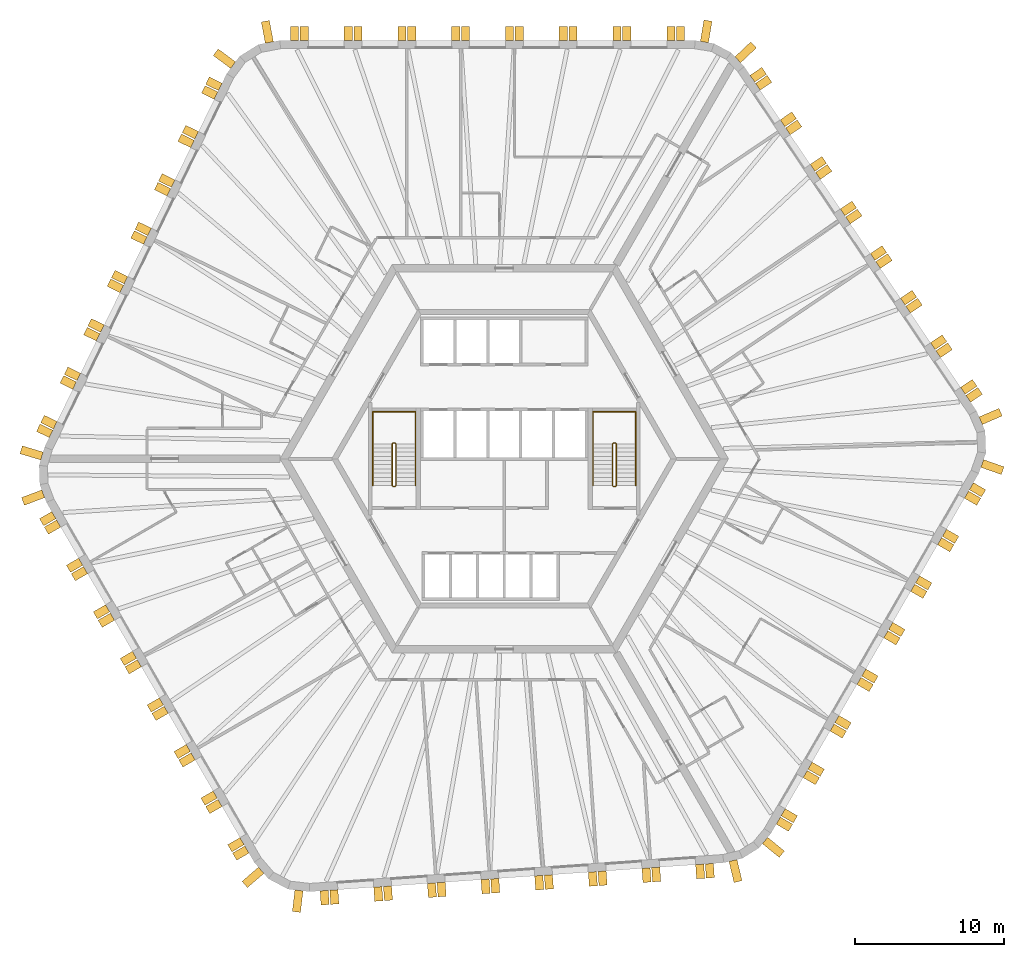
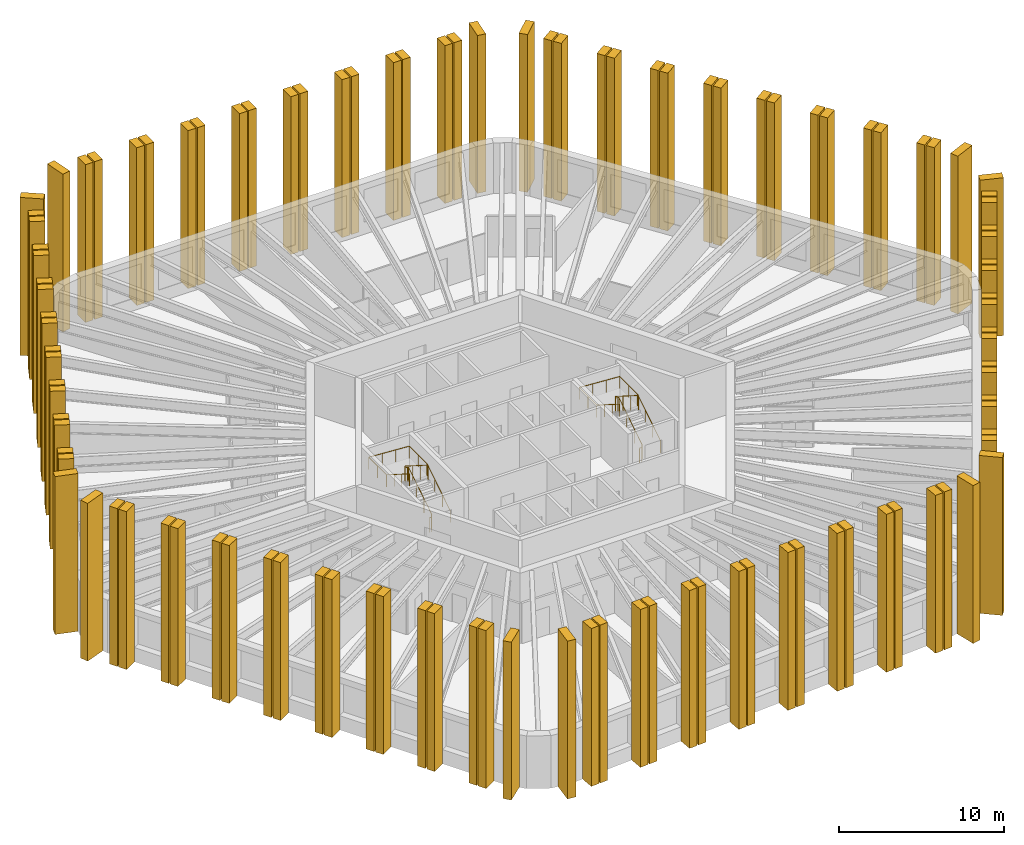
# One storey, part 10 of 10: 108 shading devices, 4 railings.
"""IFC4 building model written with IfcOpenShell, lengths in metres."""

from ifc_helpers import new_model, si_unit, direction, frame, origin, origin_2d, place, context, subcontext, project, spatial, polyline, circle, outline, extrude, material, layer, layer_set, type_object, element, save


model = new_model("IFC4")

# Units and contexts
model_context = context("Model", 3, precision=1e-05, world=origin(), true_north=direction((0.0, 1.0)))
body_context = subcontext(model_context, "Body", "Model", "MODEL_VIEW")
ifc_project = project(units=[si_unit("LENGTHUNIT", "METRE"), si_unit("AREAUNIT", "SQUARE_METRE"), si_unit("VOLUMEUNIT", "CUBIC_METRE"), si_unit("PLANEANGLEUNIT", "RADIAN"), si_unit("MASSUNIT", "GRAM", prefix="KILO")], contexts=[model_context])

# Site, building, storey
site_placement = place(None, origin())
site = spatial("IfcSite", under=ifc_project, at=site_placement, CompositionType="ELEMENT")
building_placement = place(site_placement, origin())
building = spatial("IfcBuilding", under=site, at=building_placement, Name="Tarnside Tower", CompositionType="ELEMENT")
storey_placement = place(building_placement, frame((0.0, 0.0, 226.800048828125)))
storey = spatial("IfcBuildingStorey", under=building, at=storey_placement, Name="L54", CompositionType="ELEMENT", Elevation=226.800048828125)

# Shading devices
ifc_material_1 = material(Name="Concrete C50/60 white precast", Category="concrete")
ifc_layer_1 = layer(ifc_material_1, 0.550048828125)
ifc_layer_set_1 = layer_set([ifc_layer_1], Name="Precast fin 550 x 1450")
shading_device_type_1 = type_object("IfcShadingDeviceType", Name="Precast fin 550 x 1450", PredefinedType="USERDEFINED", material=ifc_layer_set_1)
for number, where, z_axis, x_axis, name in (
    (1, (-15.725341796875, 27.86767578125, -0.150146484375), (0.982720646705, 0.18509492305, 0.0), (-0.18509492305, 0.982720646705, 0.0), "Precast fin"),
    (2, (-18.15380859375, 26.35009765625, -0.150146484375), (0.597158591707, 0.802123192752, 0.0), (-0.802123192752, 0.597158591707, 0.0), "Precast fin"),
    (3, (-30.949951171875, 0.184326171875, -0.150146484375), (0.286803232717, 0.957989512314, 0.0), (-0.957989512314, 0.286803232717, 0.0), "Precast fin"),
    (4, (-30.861572265625, -2.343017578125, -0.150146484375), (-0.352930564719, 0.935649515837, 0.0), (-0.935649515837, -0.352930564719, 0.0), "Precast fin"),
    (5, (-16.271484375, -27.55224609375, -0.150146484375), (-0.651657228826, 0.758513583345, 0.0), (-0.758513583345, -0.651657228826, 0.0), "Precast fin"),
    (6, (-13.7431640625, -28.896728515625, -0.150146484375), (-0.993238357741, 0.116092914131, 0.0), (-0.116092914131, -0.993238357741, 0.0), "Precast fin"),
    (7, (15.315185546875, -26.8955078125, -0.150146484375), (-0.973044870581, -0.230615870737, 0.0), (0.230615870737, -0.973044870581, 0.0), "Precast fin"),
    (8, (17.4599609375, -25.555419921875, -0.150146484375), (-0.633830967394, -0.773471592738, 0.0), (0.773471592738, -0.633830967394, 0.0), "Precast fin"),
    (9, (31.996826171875, -0.315185546875, -0.150146484375), (-0.331063417879, -0.943608506396, 0.0), (0.943608506396, -0.331063417879, 0.0), "Precast fin"),
    (10, (31.896728515625, 2.54638671875, -0.150146484375), (0.396079766034, -0.918216106883, 0.0), (0.918216106883, 0.396079766034, 0.0), "Precast fin"),
    (11, (15.634765625, 26.711181640625, -0.150146484375), (0.686241637865, -0.727373641577, 0.0), (0.727373641577, 0.686241637865, 0.0), "Precast fin"),
    (12, (13.40185546875, 27.8984375, -0.150146484375), (0.986761532114, -0.1621779231, 0.0), (0.1621779231, 0.986761532114, 0.0), "Precast fin"),
):
    element("IfcShadingDevice", number, at=place(storey_placement, frame(where, z_axis=z_axis, x_axis=x_axis)), inside=storey, type_object=shading_device_type_1, Name=name, ObjectType="FIN", PredefinedType="USERDEFINED", context=body_context, shape_type="SweptSolid", body=[
        extrude(outline(polyline([(0.0, 0.0), (1.449951171875, 0.0), (1.449951171875, 11.7001953125), (0.0, 11.7001953125), (0.0, 0.0)])), frame((0.0, 0.0, -0.27490234375)), (0.0, 0.0, 1.0), 0.550048828125),
    ])
ifc_layer_2 = layer(ifc_material_1, 0.550048828125)
ifc_layer_set_2 = layer_set([ifc_layer_2], Name="Precast fin 550 x 950")
shading_device_type_2 = type_object("IfcShadingDeviceType", Name="Precast fin 550 x 950", PredefinedType="USERDEFINED", material=ifc_layer_set_2)
for number, where, z_axis, x_axis, name in (
    (13, (11.80712890625, 28.0, -0.150146484375), (1.0, 0.0, 0.0), (0.0, 1.0, 0.0), "Precast fin"),
    (14, (11.1572265625, 28.0, -0.150146484375), (1.0, 0.0, 0.0), (0.0, 1.0, 0.0), "Precast fin"),
    (15, (8.20703125, 28.0, -0.150146484375), (1.0, 0.0, 0.0), (0.0, 1.0, 0.0), "Precast fin"),
    (16, (7.55712890625, 28.0, -0.150146484375), (1.0, 0.0, 0.0), (0.0, 1.0, 0.0), "Precast fin"),
    (17, (4.607177734375, 28.0, -0.150146484375), (1.0, 0.0, 0.0), (0.0, 1.0, 0.0), "Precast fin"),
    (18, (3.95703125, 28.0, -0.150146484375), (1.0, 0.0, 0.0), (0.0, 1.0, 0.0), "Precast fin"),
    (19, (1.007080078125, 28.0, -0.150146484375), (1.0, 0.0, 0.0), (0.0, 1.0, 0.0), "Precast fin"),
    (20, (0.357177734375, 28.0, -0.150146484375), (1.0, 0.0, 0.0), (0.0, 1.0, 0.0), "Precast fin"),
    (21, (-2.5927734375, 28.0, -0.150146484375), (1.0, 0.0, 0.0), (0.0, 1.0, 0.0), "Precast fin"),
    (22, (-3.242919921875, 28.0, -0.150146484375), (1.0, 0.0, 0.0), (0.0, 1.0, 0.0), "Precast fin"),
    (23, (-6.19287109375, 28.0, -0.150146484375), (1.0, 0.0, 0.0), (0.0, 1.0, 0.0), "Precast fin"),
    (24, (-6.8427734375, 28.0, -0.150146484375), (1.0, 0.0, 0.0), (0.0, 1.0, 0.0), "Precast fin"),
    (25, (-9.79296875, 28.0, -0.150146484375), (1.0, 0.0, 0.0), (0.0, 1.0, 0.0), "Precast fin"),
    (26, (-10.44287109375, 28.0, -0.150146484375), (1.0, 0.0, 0.0), (0.0, 1.0, 0.0), "Precast fin"),
    (27, (-13.392822265625, 28.0, -0.150146484375), (1.0, 0.0, 0.0), (0.0, 1.0, 0.0), "Precast fin"),
    (28, (-14.04296875, 28.0, -0.150146484375), (1.0, 0.0, 0.0), (0.0, 1.0, 0.0), "Precast fin"),
    (29, (-19.01025390625, 24.896240234375, -0.150146484375), (0.438371146789, 0.898794046299, 0.0), (-0.898794046299, 0.438371146789, 0.0), "Precast fin"),
    (30, (-19.295166015625, 24.31201171875, -0.150146484375), (0.438371146789, 0.898794046299, 0.0), (-0.898794046299, 0.438371146789, 0.0), "Precast fin"),
    (31, (-20.58837890625, 21.660400390625, -0.150146484375), (0.438371146789, 0.898794046299, 0.0), (-0.898794046299, 0.438371146789, 0.0), "Precast fin"),
    (32, (-20.873291015625, 21.076171875, -0.150146484375), (0.438371146789, 0.898794046299, 0.0), (-0.898794046299, 0.438371146789, 0.0), "Precast fin"),
    (33, (-22.16650390625, 18.4248046875, -0.150146484375), (0.438371146789, 0.898794046299, 0.0), (-0.898794046299, 0.438371146789, 0.0), "Precast fin"),
    (34, (-22.451416015625, 17.840576171875, -0.150146484375), (0.438371146789, 0.898794046299, 0.0), (-0.898794046299, 0.438371146789, 0.0), "Precast fin"),
    (35, (-23.74462890625, 15.189208984375, -0.150146484375), (0.438371146789, 0.898794046299, 0.0), (-0.898794046299, 0.438371146789, 0.0), "Precast fin"),
    (36, (-24.029541015625, 14.60498046875, -0.150146484375), (0.438371146789, 0.898794046299, 0.0), (-0.898794046299, 0.438371146789, 0.0), "Precast fin"),
    (37, (-25.32275390625, 11.953369140625, -0.150146484375), (0.438371146789, 0.898794046299, 0.0), (-0.898794046299, 0.438371146789, 0.0), "Precast fin"),
    (38, (-25.607666015625, 11.369384765625, -0.150146484375), (0.438371146789, 0.898794046299, 0.0), (-0.898794046299, 0.438371146789, 0.0), "Precast fin"),
    (39, (-26.90087890625, 8.7177734375, -0.150146484375), (0.438371146789, 0.898794046299, 0.0), (-0.898794046299, 0.438371146789, 0.0), "Precast fin"),
    (40, (-27.185791015625, 8.133544921875, -0.150146484375), (0.438371146789, 0.898794046299, 0.0), (-0.898794046299, 0.438371146789, 0.0), "Precast fin"),
    (41, (-28.47900390625, 5.482177734375, -0.150146484375), (0.438371146789, 0.898794046299, 0.0), (-0.898794046299, 0.438371146789, 0.0), "Precast fin"),
    (42, (-28.763916015625, 4.89794921875, -0.150146484375), (0.438371146789, 0.898794046299, 0.0), (-0.898794046299, 0.438371146789, 0.0), "Precast fin"),
    (43, (-30.05712890625, 2.24658203125, -0.150146484375), (0.438371146789, 0.898794046299, 0.0), (-0.898794046299, 0.438371146789, 0.0), "Precast fin"),
    (44, (-30.342041015625, 1.662353515625, -0.150146484375), (0.438371146789, 0.898794046299, 0.0), (-0.898794046299, 0.438371146789, 0.0), "Precast fin"),
    (45, (-30.15234375, -3.774658203125, -0.150146484375), (-0.5, 0.866025403784, 0.0), (-0.866025403784, -0.5, 0.0), "Precast fin"),
    (46, (-29.827392578125, -4.337646484375, -0.150146484375), (-0.5, 0.866025403784, 0.0), (-0.866025403784, -0.5, 0.0), "Precast fin"),
    (47, (-28.352294921875, -6.892333984375, -0.150146484375), (-0.5, 0.866025403784, 0.0), (-0.866025403784, -0.5, 0.0), "Precast fin"),
    (48, (-28.02734375, -7.455322265625, -0.150146484375), (-0.5, 0.866025403784, 0.0), (-0.866025403784, -0.5, 0.0), "Precast fin"),
    (49, (-26.55224609375, -10.010009765625, -0.150146484375), (-0.5, 0.866025403784, 0.0), (-0.866025403784, -0.5, 0.0), "Precast fin"),
    (50, (-26.227294921875, -10.572998046875, -0.150146484375), (-0.5, 0.866025403784, 0.0), (-0.866025403784, -0.5, 0.0), "Precast fin"),
    (51, (-24.752197265625, -13.127685546875, -0.150146484375), (-0.5, 0.866025403784, 0.0), (-0.866025403784, -0.5, 0.0), "Precast fin"),
    (52, (-24.42724609375, -13.690673828125, -0.150146484375), (-0.5, 0.866025403784, 0.0), (-0.866025403784, -0.5, 0.0), "Precast fin"),
    (53, (-22.952392578125, -16.24560546875, -0.150146484375), (-0.5, 0.866025403784, 0.0), (-0.866025403784, -0.5, 0.0), "Precast fin"),
    (54, (-22.627197265625, -16.808349609375, -0.150146484375), (-0.5, 0.866025403784, 0.0), (-0.866025403784, -0.5, 0.0), "Precast fin"),
    (55, (-21.15234375, -19.36328125, -0.150146484375), (-0.5, 0.866025403784, 0.0), (-0.866025403784, -0.5, 0.0), "Precast fin"),
    (56, (-20.827392578125, -19.926025390625, -0.150146484375), (-0.5, 0.866025403784, 0.0), (-0.866025403784, -0.5, 0.0), "Precast fin"),
    (57, (-19.352294921875, -22.48095703125, -0.150146484375), (-0.5, 0.866025403784, 0.0), (-0.866025403784, -0.5, 0.0), "Precast fin"),
    (58, (-19.02734375, -23.043701171875, -0.150146484375), (-0.5, 0.866025403784, 0.0), (-0.866025403784, -0.5, 0.0), "Precast fin"),
    (59, (-17.55224609375, -25.5986328125, -0.150146484375), (-0.5, 0.866025403784, 0.0), (-0.866025403784, -0.5, 0.0), "Precast fin"),
    (60, (-17.227294921875, -26.161376953125, -0.150146484375), (-0.5, 0.866025403784, 0.0), (-0.866025403784, -0.5, 0.0), "Precast fin"),
    (61, (-12.0556640625, -28.911376953125, -0.150146484375), (-0.99756405026, -0.069756473744, 0.0), (0.069756473744, -0.99756405026, 0.0), "Precast fin"),
    (62, (-11.4072265625, -28.865966796875, -0.150146484375), (-0.99756405026, -0.069756473744, 0.0), (0.069756473744, -0.99756405026, 0.0), "Precast fin"),
    (63, (-8.46435546875, -28.66015625, -0.150146484375), (-0.99756405026, -0.069756473744, 0.0), (0.069756473744, -0.99756405026, 0.0), "Precast fin"),
    (64, (-7.81591796875, -28.614990234375, -0.150146484375), (-0.99756405026, -0.069756473744, 0.0), (0.069756473744, -0.99756405026, 0.0), "Precast fin"),
    (65, (-4.873046875, -28.4091796875, -0.150146484375), (-0.99756405026, -0.069756473744, 0.0), (0.069756473744, -0.99756405026, 0.0), "Precast fin"),
    (66, (-4.224609375, -28.36376953125, -0.150146484375), (-0.99756405026, -0.069756473744, 0.0), (0.069756473744, -0.99756405026, 0.0), "Precast fin"),
    (67, (-1.281982421875, -28.157958984375, -0.150146484375), (-0.99756405026, -0.069756473744, 0.0), (0.069756473744, -0.99756405026, 0.0), "Precast fin"),
    (68, (-0.633544921875, -28.112548828125, -0.150146484375), (-0.99756405026, -0.069756473744, 0.0), (0.069756473744, -0.99756405026, 0.0), "Precast fin"),
    (69, (2.309326171875, -27.906982421875, -0.150146484375), (-0.99756405026, -0.069756473744, 0.0), (0.069756473744, -0.99756405026, 0.0), "Precast fin"),
    (70, (2.957763671875, -27.861572265625, -0.150146484375), (-0.99756405026, -0.069756473744, 0.0), (0.069756473744, -0.99756405026, 0.0), "Precast fin"),
    (71, (5.900634765625, -27.65576171875, -0.150146484375), (-0.99756405026, -0.069756473744, 0.0), (0.069756473744, -0.99756405026, 0.0), "Precast fin"),
    (72, (6.549072265625, -27.6103515625, -0.150146484375), (-0.99756405026, -0.069756473744, 0.0), (0.069756473744, -0.99756405026, 0.0), "Precast fin"),
    (73, (9.49169921875, -27.404541015625, -0.150146484375), (-0.99756405026, -0.069756473744, 0.0), (0.069756473744, -0.99756405026, 0.0), "Precast fin"),
    (74, (10.14013671875, -27.359375, -0.150146484375), (-0.99756405026, -0.069756473744, 0.0), (0.069756473744, -0.99756405026, 0.0), "Precast fin"),
    (75, (13.0830078125, -27.153564453125, -0.150146484375), (-0.99756405026, -0.069756473744, 0.0), (0.069756473744, -0.99756405026, 0.0), "Precast fin"),
    (76, (13.7314453125, -27.108154296875, -0.150146484375), (-0.99756405026, -0.069756473744, 0.0), (0.069756473744, -0.99756405026, 0.0), "Precast fin"),
    (77, (18.34521484375, -24.225341796875, -0.150146484375), (-0.5, -0.866025403784, 0.0), (0.866025403784, -0.5, 0.0), "Precast fin"),
    (78, (18.670166015625, -23.662353515625, -0.150146484375), (-0.5, -0.866025403784, 0.0), (0.866025403784, -0.5, 0.0), "Precast fin"),
    (79, (20.145263671875, -21.107666015625, -0.150146484375), (-0.5, -0.866025403784, 0.0), (0.866025403784, -0.5, 0.0), "Precast fin"),
    (80, (20.47021484375, -20.544677734375, -0.150146484375), (-0.5, -0.866025403784, 0.0), (0.866025403784, -0.5, 0.0), "Precast fin"),
    (81, (21.945068359375, -17.989990234375, -0.150146484375), (-0.5, -0.866025403784, 0.0), (0.866025403784, -0.5, 0.0), "Precast fin"),
    (82, (22.270263671875, -17.427001953125, -0.150146484375), (-0.5, -0.866025403784, 0.0), (0.866025403784, -0.5, 0.0), "Precast fin"),
    (83, (23.7451171875, -14.872314453125, -0.150146484375), (-0.5, -0.866025403784, 0.0), (0.866025403784, -0.5, 0.0), "Precast fin"),
    (84, (24.070068359375, -14.309326171875, -0.150146484375), (-0.5, -0.866025403784, 0.0), (0.866025403784, -0.5, 0.0), "Precast fin"),
    (85, (25.545166015625, -11.75439453125, -0.150146484375), (-0.5, -0.866025403784, 0.0), (0.866025403784, -0.5, 0.0), "Precast fin"),
    (86, (25.8701171875, -11.191650390625, -0.150146484375), (-0.5, -0.866025403784, 0.0), (0.866025403784, -0.5, 0.0), "Precast fin"),
    (87, (27.34521484375, -8.63671875, -0.150146484375), (-0.5, -0.866025403784, 0.0), (0.866025403784, -0.5, 0.0), "Precast fin"),
    (88, (27.670166015625, -8.073974609375, -0.150146484375), (-0.5, -0.866025403784, 0.0), (0.866025403784, -0.5, 0.0), "Precast fin"),
    (89, (29.145263671875, -5.51904296875, -0.150146484375), (-0.5, -0.866025403784, 0.0), (0.866025403784, -0.5, 0.0), "Precast fin"),
    (90, (29.47021484375, -4.956298828125, -0.150146484375), (-0.5, -0.866025403784, 0.0), (0.866025403784, -0.5, 0.0), "Precast fin"),
    (91, (30.945068359375, -2.4013671875, -0.150146484375), (-0.5, -0.866025403784, 0.0), (0.866025403784, -0.5, 0.0), "Precast fin"),
    (92, (31.270263671875, -1.838623046875, -0.150146484375), (-0.5, -0.866025403784, 0.0), (0.866025403784, -0.5, 0.0), "Precast fin"),
    (93, (31.065673828125, 4.01513671875, -0.150146484375), (0.559192903471, -0.829037572555, 0.0), (0.829037572555, 0.559192903471, 0.0), "Precast fin"),
    (94, (30.702392578125, 4.55419921875, -0.150146484375), (0.559192903471, -0.829037572555, 0.0), (0.829037572555, 0.559192903471, 0.0), "Precast fin"),
    (95, (29.052734375, 6.999755859375, -0.150146484375), (0.559192903471, -0.829037572555, 0.0), (0.829037572555, 0.559192903471, 0.0), "Precast fin"),
    (96, (28.689208984375, 7.53857421875, -0.150146484375), (0.559192903471, -0.829037572555, 0.0), (0.829037572555, 0.559192903471, 0.0), "Precast fin"),
    (97, (27.03955078125, 9.984375, -0.150146484375), (0.559192903471, -0.829037572555, 0.0), (0.829037572555, 0.559192903471, 0.0), "Precast fin"),
    (98, (26.676025390625, 10.523193359375, -0.150146484375), (0.559192903471, -0.829037572555, 0.0), (0.829037572555, 0.559192903471, 0.0), "Precast fin"),
    (99, (25.026611328125, 12.96875, -0.150146484375), (0.559192903471, -0.829037572555, 0.0), (0.829037572555, 0.559192903471, 0.0), "Precast fin"),
    (100, (24.6630859375, 13.5078125, -0.150146484375), (0.559192903471, -0.829037572555, 0.0), (0.829037572555, 0.559192903471, 0.0), "Precast fin"),
    (101, (23.013427734375, 15.953369140625, -0.150146484375), (0.559192903471, -0.829037572555, 0.0), (0.829037572555, 0.559192903471, 0.0), "Precast fin"),
    (102, (22.64990234375, 16.4921875, -0.150146484375), (0.559192903471, -0.829037572555, 0.0), (0.829037572555, 0.559192903471, 0.0), "Precast fin"),
    (103, (21.000244140625, 18.93798828125, -0.150146484375), (0.559192903471, -0.829037572555, 0.0), (0.829037572555, 0.559192903471, 0.0), "Precast fin"),
    (104, (20.63671875, 19.476806640625, -0.150146484375), (0.559192903471, -0.829037572555, 0.0), (0.829037572555, 0.559192903471, 0.0), "Precast fin"),
    (105, (18.9873046875, 21.92236328125, -0.150146484375), (0.559192903471, -0.829037572555, 0.0), (0.829037572555, 0.559192903471, 0.0), "Precast fin"),
    (106, (18.623779296875, 22.46142578125, -0.150146484375), (0.559192903471, -0.829037572555, 0.0), (0.829037572555, 0.559192903471, 0.0), "Precast fin"),
    (107, (16.97412109375, 24.906982421875, -0.150146484375), (0.559192903471, -0.829037572555, 0.0), (0.829037572555, 0.559192903471, 0.0), "Precast fin"),
    (108, (16.610595703125, 25.44580078125, -0.150146484375), (0.559192903471, -0.829037572555, 0.0), (0.829037572555, 0.559192903471, 0.0), "Precast fin"),
):
    element("IfcShadingDevice", number, at=place(storey_placement, frame(where, z_axis=z_axis, x_axis=x_axis)), inside=storey, type_object=shading_device_type_2, Name=name, ObjectType="FIN", PredefinedType="USERDEFINED", context=body_context, shape_type="SweptSolid", body=[
        extrude(outline(polyline([(0.0, 0.0), (0.949951171875, 0.0), (0.949951171875, 11.7001953125), (0.0, 11.7001953125), (0.0, 0.0)])), frame((0.0, 0.0, -0.27490234375)), (0.0, 0.0, 1.0), 0.550048828125),
    ])

# Railings
ifc_material_2 = material(Name="Stainless steel", Category="steel")
railing_type_1 = type_object("IfcRailingType", Name="Stair guard 1100", PredefinedType="GUARDRAIL", material=ifc_material_2)
railing_1_placement = place(storey_placement, frame((7.300048828125, -1.85009765625, 0.0)))
element("IfcRailing", 109, at=railing_1_placement, inside=storey, type_object=railing_type_1, Name="L54 ST1 stair guard 1", PredefinedType="GUARDRAIL", context=body_context, shape_type="SweptSolid", body=[
    extrude(circle(Radius=0.02392578125, at=origin_2d()), frame((0.0, 0.0, 1.076171875), z_axis=(1.0, 0.0, 0.0), x_axis=(0.0, 1.0, 0.0)), (0.0, 0.0, 1.0), 0.14990234375),
    extrude(circle(Radius=0.02392578125, at=origin_2d()), frame((0.14990234375, 0.0, 1.076171875), z_axis=(0.262233686654, 0.262233686654, 0.928691007369), x_axis=(-0.707106781187, 0.707106781187, 0.0)), (0.0, 0.0, 1.0), 0.19091796875),
    extrude(circle(Radius=0.02392578125, at=origin_2d()), frame((0.199951171875, 0.050048828125, 1.25341796875), z_axis=(0.0, 0.844908973607, 0.534910110503), x_axis=(-1.0, 0.0, 0.0)), (0.0, 0.0, 1.0), 3.31396484375),
    extrude(circle(Radius=0.02392578125, at=origin_2d()), frame((0.199951171875, 2.85009765625, 3.02587890625), z_axis=(-0.707106781187, 0.707106781187, 0.0), x_axis=(-0.707106781187, -0.707106781187, 0.0)), (0.0, 0.0, 1.0), 0.07080078125),
    extrude(circle(Radius=0.02392578125, at=origin_2d()), frame((0.14990234375, 2.900146484375, 3.02587890625), z_axis=(-1.0, 0.0, 0.0), x_axis=(0.0, -1.0, 0.0)), (0.0, 0.0, 1.0), 0.14990234375),
    extrude(circle(Radius=0.02392578125, at=origin_2d()), frame((0.0, 2.900146484375, 3.02587890625), z_axis=(-0.262233686654, -0.262233686654, 0.928691007369), x_axis=(0.707106781187, -0.707106781187, 0.0)), (0.0, 0.0, 1.0), 0.19091796875),
    extrude(circle(Radius=0.02392578125, at=origin_2d()), frame((-0.050048828125, 2.85009765625, 3.203125), z_axis=(0.0, -0.844908973607, 0.534910110503), x_axis=(1.0, 0.0, 0.0)), (0.0, 0.0, 1.0), 3.31396484375),
    extrude(circle(Radius=0.02099609375, at=origin_2d()), origin(), (0.0, 0.0, 1.0), 1.052001953125),
    extrude(circle(Radius=0.02099609375, at=origin_2d()), frame((0.14990234375, 0.0, 0.0)), (0.0, 0.0, 1.0), 1.052001953125),
    extrude(circle(Radius=0.02099609375, at=origin_2d()), frame((0.199951171875, 0.050048828125, 0.17724609375)), (0.0, 0.0, 1.0), 1.052001953125),
    extrude(circle(Radius=0.02099609375, at=origin_2d()), frame((0.199951171875, 0.9833984375, 0.76806640625)), (0.0, 0.0, 1.0), 1.052001953125),
    extrude(circle(Radius=0.02099609375, at=origin_2d()), frame((0.199951171875, 1.916748046875, 1.359130859375)), (0.0, 0.0, 1.0), 1.052001953125),
    extrude(circle(Radius=0.02099609375, at=origin_2d()), frame((0.199951171875, 2.85009765625, 1.949951171875)), (0.0, 0.0, 1.0), 1.052001953125),
    extrude(circle(Radius=0.02099609375, at=origin_2d()), frame((0.14990234375, 2.900146484375, 1.949951171875)), (0.0, 0.0, 1.0), 1.052001953125),
    extrude(circle(Radius=0.02099609375, at=origin_2d()), frame((0.0, 2.900146484375, 1.949951171875)), (0.0, 0.0, 1.0), 1.052001953125),
    extrude(circle(Radius=0.02099609375, at=origin_2d()), frame((-0.050048828125, 2.85009765625, 2.127197265625)), (0.0, 0.0, 1.0), 1.052001953125),
    extrude(circle(Radius=0.02099609375, at=origin_2d()), frame((-0.050048828125, 1.916748046875, 2.718017578125)), (0.0, 0.0, 1.0), 1.052001953125),
    extrude(circle(Radius=0.02099609375, at=origin_2d()), frame((-0.050048828125, 0.9833984375, 3.30908203125)), (0.0, 0.0, 1.0), 1.052001953125),
    extrude(circle(Radius=0.02099609375, at=origin_2d()), frame((-0.050048828125, 0.050048828125, 3.89990234375)), (0.0, 0.0, 1.0), 1.052001953125),
])
railing_2_placement = place(storey_placement, frame((-7.449951171875, -1.85009765625, 0.0)))
element("IfcRailing", 110, at=railing_2_placement, inside=storey, type_object=railing_type_1, Name="L54 ST2 stair guard 1", PredefinedType="GUARDRAIL", context=body_context, shape_type="SweptSolid", body=[
    extrude(circle(Radius=0.02392578125, at=origin_2d()), frame((0.0, 0.0, 1.076171875), z_axis=(1.0, 0.0, 0.0), x_axis=(0.0, 1.0, 0.0)), (0.0, 0.0, 1.0), 0.14990234375),
    extrude(circle(Radius=0.02392578125, at=origin_2d()), frame((0.14990234375, 0.0, 1.076171875), z_axis=(0.262233686654, 0.262233686654, 0.928691007369), x_axis=(-0.707106781187, 0.707106781187, 0.0)), (0.0, 0.0, 1.0), 0.19091796875),
    extrude(circle(Radius=0.02392578125, at=origin_2d()), frame((0.199951171875, 0.050048828125, 1.25341796875), z_axis=(0.0, 0.844908973607, 0.534910110503), x_axis=(-1.0, 0.0, 0.0)), (0.0, 0.0, 1.0), 3.31396484375),
    extrude(circle(Radius=0.02392578125, at=origin_2d()), frame((0.199951171875, 2.85009765625, 3.02587890625), z_axis=(-0.707106781187, 0.707106781187, 0.0), x_axis=(-0.707106781187, -0.707106781187, 0.0)), (0.0, 0.0, 1.0), 0.07080078125),
    extrude(circle(Radius=0.02392578125, at=origin_2d()), frame((0.14990234375, 2.900146484375, 3.02587890625), z_axis=(-1.0, 0.0, 0.0), x_axis=(0.0, -1.0, 0.0)), (0.0, 0.0, 1.0), 0.14990234375),
    extrude(circle(Radius=0.02392578125, at=origin_2d()), frame((0.0, 2.900146484375, 3.02587890625), z_axis=(-0.262233686654, -0.262233686654, 0.928691007369), x_axis=(0.707106781187, -0.707106781187, 0.0)), (0.0, 0.0, 1.0), 0.19091796875),
    extrude(circle(Radius=0.02392578125, at=origin_2d()), frame((-0.050048828125, 2.85009765625, 3.203125), z_axis=(0.0, -0.844908973607, 0.534910110503), x_axis=(1.0, 0.0, 0.0)), (0.0, 0.0, 1.0), 3.31396484375),
    extrude(circle(Radius=0.02099609375, at=origin_2d()), origin(), (0.0, 0.0, 1.0), 1.052001953125),
    extrude(circle(Radius=0.02099609375, at=origin_2d()), frame((0.14990234375, 0.0, 0.0)), (0.0, 0.0, 1.0), 1.052001953125),
    extrude(circle(Radius=0.02099609375, at=origin_2d()), frame((0.199951171875, 0.050048828125, 0.17724609375)), (0.0, 0.0, 1.0), 1.052001953125),
    extrude(circle(Radius=0.02099609375, at=origin_2d()), frame((0.199951171875, 0.9833984375, 0.76806640625)), (0.0, 0.0, 1.0), 1.052001953125),
    extrude(circle(Radius=0.02099609375, at=origin_2d()), frame((0.199951171875, 1.916748046875, 1.359130859375)), (0.0, 0.0, 1.0), 1.052001953125),
    extrude(circle(Radius=0.02099609375, at=origin_2d()), frame((0.199951171875, 2.85009765625, 1.949951171875)), (0.0, 0.0, 1.0), 1.052001953125),
    extrude(circle(Radius=0.02099609375, at=origin_2d()), frame((0.14990234375, 2.900146484375, 1.949951171875)), (0.0, 0.0, 1.0), 1.052001953125),
    extrude(circle(Radius=0.02099609375, at=origin_2d()), frame((0.0, 2.900146484375, 1.949951171875)), (0.0, 0.0, 1.0), 1.052001953125),
    extrude(circle(Radius=0.02099609375, at=origin_2d()), frame((-0.050048828125, 2.85009765625, 2.127197265625)), (0.0, 0.0, 1.0), 1.052001953125),
    extrude(circle(Radius=0.02099609375, at=origin_2d()), frame((-0.050048828125, 1.916748046875, 2.718017578125)), (0.0, 0.0, 1.0), 1.052001953125),
    extrude(circle(Radius=0.02099609375, at=origin_2d()), frame((-0.050048828125, 0.9833984375, 3.30908203125)), (0.0, 0.0, 1.0), 1.052001953125),
    extrude(circle(Radius=0.02099609375, at=origin_2d()), frame((-0.050048828125, 0.050048828125, 3.89990234375)), (0.0, 0.0, 1.0), 1.052001953125),
])
railing_type_2 = type_object("IfcRailingType", Name="Stair handrail 900", PredefinedType="HANDRAIL", material=ifc_material_2)
railing_3_placement = place(storey_placement, frame((8.800048828125, -1.800048828125, 0.17724609375)))
element("IfcRailing", 111, at=railing_3_placement, inside=storey, type_object=railing_type_2, Name="L54 ST1 stair handrail 1", PredefinedType="HANDRAIL", context=body_context, shape_type="SweptSolid", body=[
    extrude(circle(Radius=0.02392578125, at=origin_2d()), frame((0.0, 0.0, 0.8857421875), z_axis=(0.0, 0.844908973607, 0.534910110503), x_axis=(-1.0, 0.0, 0.0)), (0.0, 0.0, 1.0), 3.31396484375),
    extrude(circle(Radius=0.02392578125, at=origin_2d()), frame((0.0, 2.800048828125, 2.65869140625), z_axis=(0.0, 1.0, 0.0), x_axis=(-1.0, 0.0, 0.0)), (0.0, 0.0, 1.0), 2.14990234375),
    extrude(circle(Radius=0.02392578125, at=origin_2d()), frame((0.0, 4.949951171875, 2.65869140625), z_axis=(-0.998071825391, 0.0, 0.06206956872), x_axis=(0.0, -1.0, 0.0)), (0.0, 0.0, 1.0), 2.855712890625),
    extrude(circle(Radius=0.02392578125, at=origin_2d()), frame((-2.85009765625, 4.949951171875, 2.8359375), z_axis=(0.0, -1.0, 0.0), x_axis=(1.0, 0.0, 0.0)), (0.0, 0.0, 1.0), 2.14990234375),
    extrude(circle(Radius=0.02392578125, at=origin_2d()), frame((-2.85009765625, 2.800048828125, 2.8359375), z_axis=(0.0, -0.844908973607, 0.534910110503), x_axis=(1.0, 0.0, 0.0)), (0.0, 0.0, 1.0), 3.31396484375),
    extrude(circle(Radius=0.02099609375, at=origin_2d()), origin(), (0.0, 0.0, 1.0), 0.86181640625),
    extrude(circle(Radius=0.02099609375, at=origin_2d()), frame((0.0, 0.933349609375, 0.5908203125)), (0.0, 0.0, 1.0), 0.86181640625),
    extrude(circle(Radius=0.02099609375, at=origin_2d()), frame((0.0, 1.86669921875, 1.181884765625)), (0.0, 0.0, 1.0), 0.86181640625),
    extrude(circle(Radius=0.02099609375, at=origin_2d()), frame((0.0, 2.800048828125, 1.772705078125)), (0.0, 0.0, 1.0), 0.86181640625),
    extrude(circle(Radius=0.02099609375, at=origin_2d()), frame((0.0, 3.875, 1.772705078125)), (0.0, 0.0, 1.0), 0.86181640625),
    extrude(circle(Radius=0.02099609375, at=origin_2d()), frame((0.0, 4.949951171875, 1.772705078125)), (0.0, 0.0, 1.0), 0.86181640625),
    extrude(circle(Radius=0.02099609375, at=origin_2d()), frame((-0.949951171875, 4.949951171875, 1.831787109375)), (0.0, 0.0, 1.0), 0.86181640625),
    extrude(circle(Radius=0.02099609375, at=origin_2d()), frame((-1.900146484375, 4.949951171875, 1.890869140625)), (0.0, 0.0, 1.0), 0.86181640625),
    extrude(circle(Radius=0.02099609375, at=origin_2d()), frame((-2.85009765625, 4.949951171875, 1.949951171875)), (0.0, 0.0, 1.0), 0.86181640625),
    extrude(circle(Radius=0.02099609375, at=origin_2d()), frame((-2.85009765625, 3.875, 1.949951171875)), (0.0, 0.0, 1.0), 0.86181640625),
    extrude(circle(Radius=0.02099609375, at=origin_2d()), frame((-2.85009765625, 2.800048828125, 1.949951171875)), (0.0, 0.0, 1.0), 0.86181640625),
    extrude(circle(Radius=0.02099609375, at=origin_2d()), frame((-2.85009765625, 1.86669921875, 2.540771484375)), (0.0, 0.0, 1.0), 0.86181640625),
    extrude(circle(Radius=0.02099609375, at=origin_2d()), frame((-2.85009765625, 0.933349609375, 3.1318359375)), (0.0, 0.0, 1.0), 0.86181640625),
    extrude(circle(Radius=0.02099609375, at=origin_2d()), frame((-2.85009765625, 0.0, 3.72265625)), (0.0, 0.0, 1.0), 0.86181640625),
])
railing_4_placement = place(storey_placement, frame((-5.949951171875, -1.800048828125, 0.17724609375)))
element("IfcRailing", 112, at=railing_4_placement, inside=storey, type_object=railing_type_2, Name="L54 ST2 stair handrail 1", PredefinedType="HANDRAIL", context=body_context, shape_type="SweptSolid", body=[
    extrude(circle(Radius=0.02392578125, at=origin_2d()), frame((0.0, 0.0, 0.8857421875), z_axis=(0.0, 0.844908973607, 0.534910110503), x_axis=(-1.0, 0.0, 0.0)), (0.0, 0.0, 1.0), 3.31396484375),
    extrude(circle(Radius=0.02392578125, at=origin_2d()), frame((0.0, 2.800048828125, 2.65869140625), z_axis=(0.0, 1.0, 0.0), x_axis=(-1.0, 0.0, 0.0)), (0.0, 0.0, 1.0), 2.14990234375),
    extrude(circle(Radius=0.02392578125, at=origin_2d()), frame((0.0, 4.949951171875, 2.65869140625), z_axis=(-0.998071825391, 0.0, 0.06206956872), x_axis=(0.0, -1.0, 0.0)), (0.0, 0.0, 1.0), 2.855712890625),
    extrude(circle(Radius=0.02392578125, at=origin_2d()), frame((-2.85009765625, 4.949951171875, 2.8359375), z_axis=(0.0, -1.0, 0.0), x_axis=(1.0, 0.0, 0.0)), (0.0, 0.0, 1.0), 2.14990234375),
    extrude(circle(Radius=0.02392578125, at=origin_2d()), frame((-2.85009765625, 2.800048828125, 2.8359375), z_axis=(0.0, -0.844908973607, 0.534910110503), x_axis=(1.0, 0.0, 0.0)), (0.0, 0.0, 1.0), 3.31396484375),
    extrude(circle(Radius=0.02099609375, at=origin_2d()), origin(), (0.0, 0.0, 1.0), 0.86181640625),
    extrude(circle(Radius=0.02099609375, at=origin_2d()), frame((0.0, 0.933349609375, 0.5908203125)), (0.0, 0.0, 1.0), 0.86181640625),
    extrude(circle(Radius=0.02099609375, at=origin_2d()), frame((0.0, 1.86669921875, 1.181884765625)), (0.0, 0.0, 1.0), 0.86181640625),
    extrude(circle(Radius=0.02099609375, at=origin_2d()), frame((0.0, 2.800048828125, 1.772705078125)), (0.0, 0.0, 1.0), 0.86181640625),
    extrude(circle(Radius=0.02099609375, at=origin_2d()), frame((0.0, 3.875, 1.772705078125)), (0.0, 0.0, 1.0), 0.86181640625),
    extrude(circle(Radius=0.02099609375, at=origin_2d()), frame((0.0, 4.949951171875, 1.772705078125)), (0.0, 0.0, 1.0), 0.86181640625),
    extrude(circle(Radius=0.02099609375, at=origin_2d()), frame((-0.949951171875, 4.949951171875, 1.831787109375)), (0.0, 0.0, 1.0), 0.86181640625),
    extrude(circle(Radius=0.02099609375, at=origin_2d()), frame((-1.900146484375, 4.949951171875, 1.890869140625)), (0.0, 0.0, 1.0), 0.86181640625),
    extrude(circle(Radius=0.02099609375, at=origin_2d()), frame((-2.85009765625, 4.949951171875, 1.949951171875)), (0.0, 0.0, 1.0), 0.86181640625),
    extrude(circle(Radius=0.02099609375, at=origin_2d()), frame((-2.85009765625, 3.875, 1.949951171875)), (0.0, 0.0, 1.0), 0.86181640625),
    extrude(circle(Radius=0.02099609375, at=origin_2d()), frame((-2.85009765625, 2.800048828125, 1.949951171875)), (0.0, 0.0, 1.0), 0.86181640625),
    extrude(circle(Radius=0.02099609375, at=origin_2d()), frame((-2.85009765625, 1.86669921875, 2.540771484375)), (0.0, 0.0, 1.0), 0.86181640625),
    extrude(circle(Radius=0.02099609375, at=origin_2d()), frame((-2.85009765625, 0.933349609375, 3.1318359375)), (0.0, 0.0, 1.0), 0.86181640625),
    extrude(circle(Radius=0.02099609375, at=origin_2d()), frame((-2.85009765625, 0.0, 3.72265625)), (0.0, 0.0, 1.0), 0.86181640625),
])

save(model, "model.ifc")
